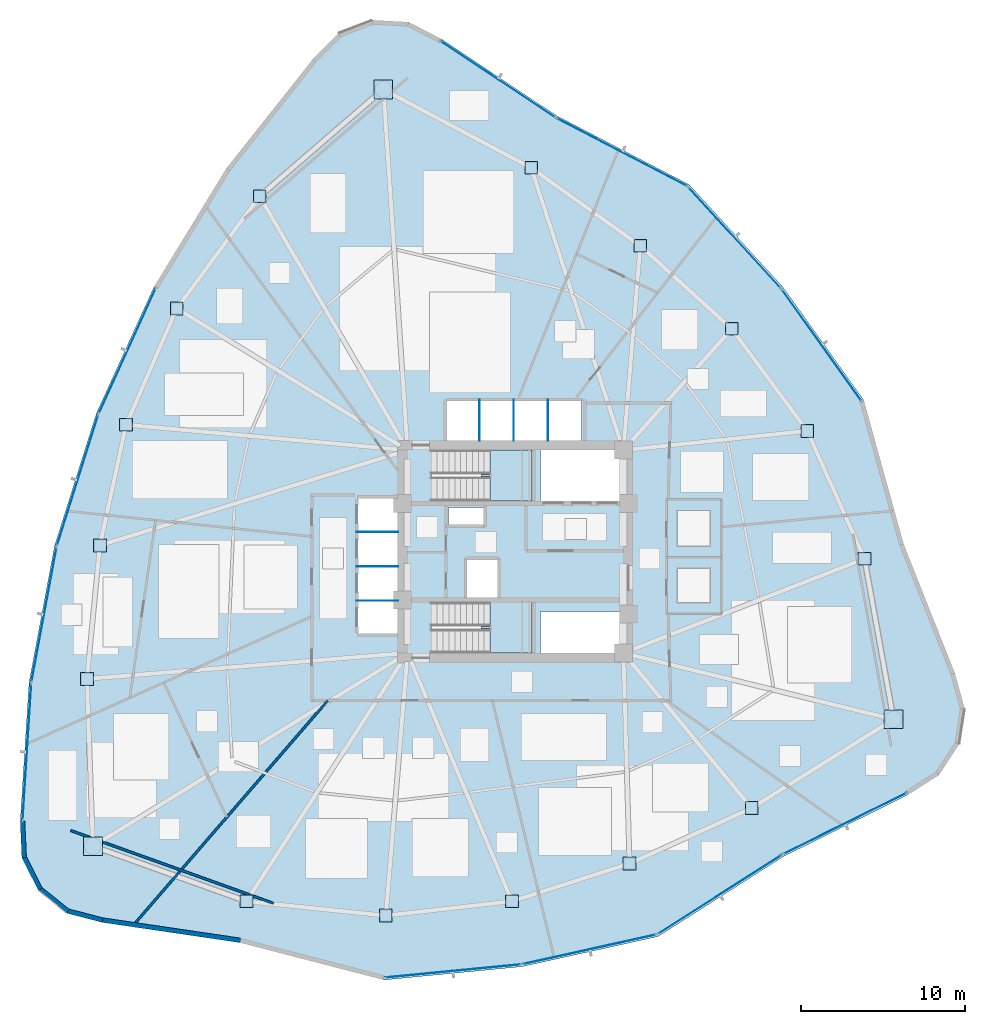
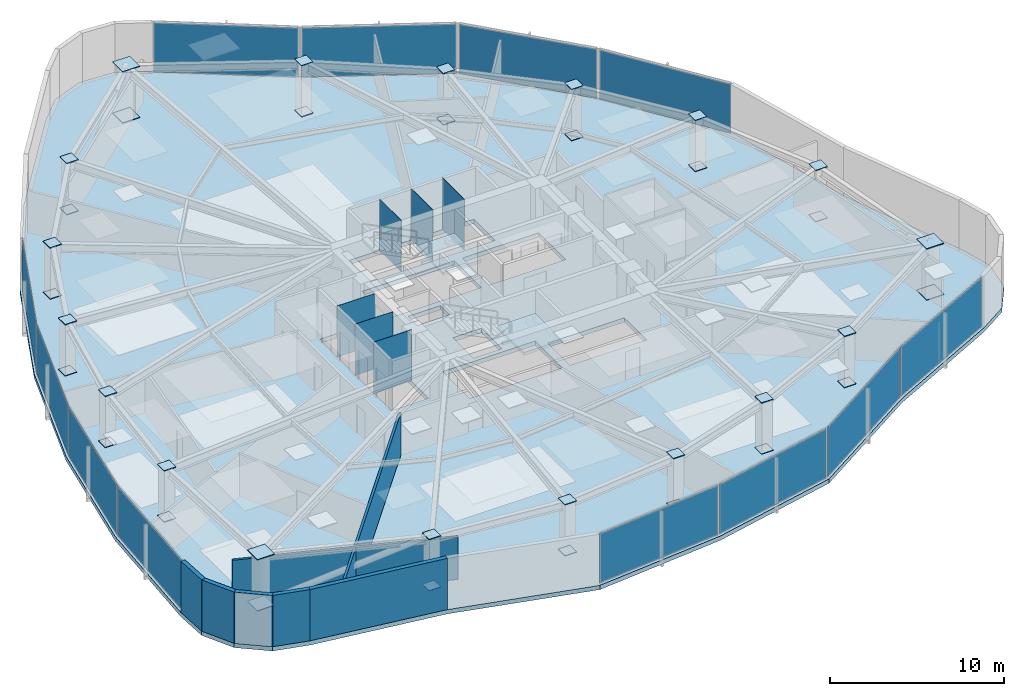
# One storey, part 11 of 18: 54 plates, 7 walls, 3 slabs, 14 elements without a shape of their own.
"""IFC4 building model written with IfcOpenShell, lengths in metres."""

from ifc_helpers import new_model, si_unit, direction, frame, frame_2d, origin, origin_2d, place, context, subcontext, project, spatial, polyline, rectangle, outline, extrude, source, transform, mapped, material, layer, layer_set, type_object, type_shapes, element, aggregate, save


model = new_model("IFC4")

# Units and contexts
model_context = context("Model", 3, precision=1e-05, world=origin(), true_north=direction((0.0, 1.0)))
body_context = subcontext(model_context, "Body", "Model", "MODEL_VIEW")
ifc_project = project(units=[si_unit("LENGTHUNIT", "METRE"), si_unit("AREAUNIT", "SQUARE_METRE"), si_unit("VOLUMEUNIT", "CUBIC_METRE"), si_unit("PLANEANGLEUNIT", "RADIAN"), si_unit("MASSUNIT", "GRAM", prefix="KILO")], contexts=[model_context])

# Site, building, storey
site_placement = place(None, origin())
site = spatial("IfcSite", under=ifc_project, at=site_placement, CompositionType="ELEMENT")
building_placement = place(site_placement, origin())
building = spatial("IfcBuilding", under=site, at=building_placement, Name="Tavelor Broadcast Tower", CompositionType="ELEMENT")
storey_placement = place(building_placement, frame((0.0, 0.0, 62.699951171875)))
storey = spatial("IfcBuildingStorey", under=building, at=storey_placement, Name="L14", CompositionType="ELEMENT", Elevation=62.699951171875)

# Stair, slab
ifc_material_1 = material(Name="Concrete C40/50", Category="concrete")
stair_type = type_object("IfcStairType", Name="Reinforced Concrete Protected Dogleg Stair 1450 mm", PredefinedType="HALF_TURN_STAIR", material=ifc_material_1)
stair_1_placement = place(storey_placement, origin())
stair_1 = element("IfcStair", 1, at=stair_1_placement, inside=storey, type_object=stair_type, Name="L14 Protected Core Exit Stair ST1", PredefinedType="HALF_TURN_STAIR")
ifc_layer_1 = layer(ifc_material_1, 0.199951171875)
ifc_layer_set_1 = layer_set([ifc_layer_1], Name="Concrete C40/50")
slab_type_1 = type_object("IfcSlabType", Name="Reinforced Concrete Stair Half-Landing Slab 200 mm", PredefinedType="LANDING", material=ifc_layer_set_1)
slab_1_placement = place(storey_placement, frame((0.0, 0.0, 1.75)))
slab_1 = element("IfcSlab", 2, at=slab_1_placement, type_object=slab_type_1, Name="ST1 landing 1", PredefinedType="LANDING", context=body_context, shape_type="SweptSolid", body=[
    extrude(outline(polyline([(48.445068359375, 49.590087890625), (48.445068359375, 48.094970703125), (51.0048828125, 48.094970703125), (51.0048828125, 51.205078125), (48.445068359375, 51.205078125), (48.445068359375, 49.7099609375), (47.905029296875, 49.7099609375), (47.905029296875, 49.590087890625), (48.445068359375, 49.590087890625)])), origin(), (0.0, 0.0, 1.0), 0.199951171875),
])
aggregate(stair_1, [slab_1])

stair_2_placement = place(storey_placement, origin())
stair_2 = element("IfcStair", 3, at=stair_2_placement, inside=storey, type_object=stair_type, Name="L14 Protected Core Exit Stair ST2", PredefinedType="HALF_TURN_STAIR")
slab_2_placement = place(storey_placement, frame((0.0, 0.0, 1.75)))
slab_2 = element("IfcSlab", 4, at=slab_2_placement, type_object=slab_type_1, Name="ST2 landing 1", PredefinedType="LANDING", context=body_context, shape_type="SweptSolid", body=[
    extrude(outline(polyline([(48.445068359375, 40.2900390625), (48.445068359375, 38.794921875), (51.0048828125, 38.794921875), (51.0048828125, 41.905029296875), (48.445068359375, 41.905029296875), (48.445068359375, 40.409912109375), (47.905029296875, 40.409912109375), (47.905029296875, 40.2900390625), (48.445068359375, 40.2900390625)])), origin(), (0.0, 0.0, 1.0), 0.199951171875),
])
aggregate(stair_2, [slab_2])

# Slab
ifc_layer_2 = layer(ifc_material_1, 0.300048828125)
ifc_layer_set_2 = layer_set([ifc_layer_2], Name="Concrete C40/50")
slab_type_2 = type_object("IfcSlabType", Name="Tower Composite Floor Slab 300 mm", PredefinedType="FLOOR", material=ifc_layer_set_2)
slab_3_placement = place(storey_placement, frame((0.0, 0.0, -0.300048828125)))
element("IfcSlab", 5, at=slab_3_placement, inside=storey, type_object=slab_type_2, Name="L14 Structural Floor Slab", PredefinedType="FLOOR", context=body_context, shape_type="SweptSolid", body=[
    extrude(outline(polyline([(45.463134765625, 76.352294921875), (43.4814453125, 77.381591796875), (41.251708984375, 77.504150390625), (39.169189453125, 76.698486328125), (37.602783203125, 75.107177734375), (32.325927734375, 68.444091796875), (27.894287109375, 61.191162109375), (24.373046875, 53.455322265625), (21.813720703125, 45.350341796875), (20.25390625, 36.9951171875), (19.716796875, 28.512451171875), (19.81591796875, 26.28173828125), (20.82470703125, 24.289306640625), (22.563720703125, 22.888671875), (24.72509765625, 22.32763671875), (33.1337890625, 21.089599609375), (41.95947265625, 18.803955078125), (50.41943359375, 19.622314453125), (58.71826171875, 21.458251953125), (66.405517578125, 26.359130859375), (74.020263671875, 30.13525390625), (75.902587890625, 31.336669921875), (77.12353515625, 33.206298828125), (77.467041015625, 35.412841796875), (76.872314453125, 37.565185546875), (73.739990234375, 45.466552734375), (71.306884765625, 54.25244140625), (66.3681640625, 61.169921875), (60.628662109375, 67.438720703125), (52.54052734375, 71.645751953125), (45.463134765625, 76.352294921875)]), holes=[polyline([(56.60009765625, 38.800048828125), (51.52001953125, 38.800048828125), (51.52001953125, 41.35009765625), (56.60009765625, 41.35009765625), (56.60009765625, 38.800048828125)]), polyline([(50.99609375, 38.803955078125), (44.85400390625, 38.803955078125), (44.85400390625, 41.89599609375), (50.99609375, 41.89599609375), (50.99609375, 38.803955078125)]), polyline([(47.050048828125, 42.199951171875), (47.050048828125, 44.550048828125), (48.949951171875, 44.550048828125), (48.949951171875, 42.199951171875), (47.050048828125, 42.199951171875)]), polyline([(40.35009765625, 40.0), (40.35009765625, 48.25), (42.800048828125, 48.25), (42.800048828125, 40.0), (40.35009765625, 40.0)]), polyline([(48.050048828125, 46.64990234375), (45.89990234375, 46.64990234375), (45.89990234375, 47.699951171875), (48.050048828125, 47.699951171875), (48.050048828125, 46.64990234375)]), polyline([(50.99609375, 48.10400390625), (44.85400390625, 48.10400390625), (44.85400390625, 51.196044921875), (50.99609375, 51.196044921875), (50.99609375, 48.10400390625)]), polyline([(56.60009765625, 48.10009765625), (51.52001953125, 48.10009765625), (51.52001953125, 51.199951171875), (56.60009765625, 51.199951171875), (56.60009765625, 48.10009765625)]), polyline([(54.050048828125, 51.800048828125), (45.800048828125, 51.800048828125), (45.800048828125, 54.25), (54.050048828125, 54.25), (54.050048828125, 51.800048828125)])]), origin(), (0.0, 0.0, 1.0), 0.300048828125),
])

# Plates
ifc_material_2 = material(Name="Steel S460", Category="steel")
ifc_layer_3 = layer(ifc_material_2, 0.050048828125)
ifc_layer_set_3 = layer_set([ifc_layer_3], Name="Steel S460")
plate_type_1 = type_object("IfcPlateType", Name="Tube Hollow-End Cap Plate KN05 700x700x50", PredefinedType="USERDEFINED", material=ifc_layer_set_3)
shared_shape_1 = source(origin(), body_context, "Body", "SweptSolid", [
    extrude(rectangle(XDim=1.14697265625, YDim=1.14697265625, at=origin_2d()), origin(), (0.0, 0.0, 1.0), 0.054931640625),
])
for number, where, z_axis, x_axis, name in (
    (6, (41.923095703125, 73.266357421875, -0.02734375), (0.0, 0.0, 1.0), (1.0, 0.0, 0.0), "L14 Hollow End Cap Plate KN05 #436"),
    (7, (41.923095703125, 73.266357421875, 3.57275390625), (0.0, 0.0, 1.0), (1.0, 0.0, 0.0), "L14 Hollow End Cap Plate KN05 #437"),
    (8, (24.1591796875, 26.98974609375, -0.02734375), (0.0, 0.0, 1.0), (1.0, 0.0, 0.0), "L14 Hollow End Cap Plate KN05 #448"),
    (9, (24.1591796875, 26.98974609375, 3.57275390625), (0.0, 0.0, 1.0), (1.0, 0.0, 0.0), "L14 Hollow End Cap Plate KN05 #449"),
    (10, (73.117919921875, 34.743896484375, -0.02734375), (0.0, 0.0, 1.0), (1.0, 0.0, 0.0), "L14 Hollow End Cap Plate KN05 #460"),
    (11, (73.117919921875, 34.743896484375, 3.57275390625), (0.0, 0.0, 1.0), (1.0, 0.0, 0.0), "L14 Hollow End Cap Plate KN05 #461"),
):
    element("IfcPlate", number, at=place(storey_placement, frame(where, z_axis=z_axis, x_axis=x_axis)), inside=storey, type_object=plate_type_1, Name=name, ObjectType="CAP PLATE", PredefinedType="USERDEFINED", context=body_context, shape_type="MappedRepresentation", body=[
        mapped(shared_shape_1, transform((0.0, 0.0, 0.0), scale=1.0)),
    ])
shared_shape_2 = source(origin(), body_context, "Body", "SweptSolid", [
    extrude(rectangle(XDim=0.780029296875, YDim=0.780029296875, at=origin_2d()), origin(), (0.0, 0.0, 1.0), 0.054931640625),
])
type_shapes(plate_type_1, [shared_shape_1, shared_shape_2])
for number, where, z_axis, x_axis, name in (
    (12, (34.356201171875, 66.727783203125, -0.02734375), (0.0, 0.0, 1.0), (1.0, 0.0, 0.0), "L14 Hollow End Cap Plate KN05 #438"),
    (13, (34.356201171875, 66.727783203125, 3.57275390625), (0.0, 0.0, 1.0), (1.0, 0.0, 0.0), "L14 Hollow End Cap Plate KN05 #439"),
    (14, (29.292236328125, 59.87158203125, -0.02734375), (0.0, 0.0, 1.0), (1.0, 0.0, 0.0), "L14 Hollow End Cap Plate KN05 #440"),
    (15, (29.292236328125, 59.87158203125, 3.57275390625), (0.0, 0.0, 1.0), (1.0, 0.0, 0.0), "L14 Hollow End Cap Plate KN05 #441"),
    (16, (26.189208984375, 52.75830078125, -0.02734375), (0.0, 0.0, 1.0), (1.0, 0.0, 0.0), "L14 Hollow End Cap Plate KN05 #442"),
    (17, (26.189208984375, 52.75830078125, 3.57275390625), (0.0, 0.0, 1.0), (1.0, 0.0, 0.0), "L14 Hollow End Cap Plate KN05 #443"),
    (18, (24.58984375, 45.380615234375, -0.02734375), (0.0, 0.0, 1.0), (1.0, 0.0, 0.0), "L14 Hollow End Cap Plate KN05 #444"),
    (19, (24.58984375, 45.380615234375, 3.57275390625), (0.0, 0.0, 1.0), (1.0, 0.0, 0.0), "L14 Hollow End Cap Plate KN05 #445"),
    (20, (23.794677734375, 37.21630859375, -0.02734375), (0.0, 0.0, 1.0), (1.0, 0.0, 0.0), "L14 Hollow End Cap Plate KN05 #446"),
    (21, (23.794677734375, 37.21630859375, 3.57275390625), (0.0, 0.0, 1.0), (1.0, 0.0, 0.0), "L14 Hollow End Cap Plate KN05 #447"),
    (22, (33.55078125, 23.615478515625, -0.02734375), (0.0, 0.0, 1.0), (1.0, 0.0, 0.0), "L14 Hollow End Cap Plate KN05 #450"),
    (23, (33.55078125, 23.615478515625, 3.57275390625), (0.0, 0.0, 1.0), (1.0, 0.0, 0.0), "L14 Hollow End Cap Plate KN05 #451"),
    (24, (42.0732421875, 22.740478515625, -0.02734375), (0.0, 0.0, 1.0), (1.0, 0.0, 0.0), "L14 Hollow End Cap Plate KN05 #452"),
    (25, (42.0732421875, 22.740478515625, 3.57275390625), (0.0, 0.0, 1.0), (1.0, 0.0, 0.0), "L14 Hollow End Cap Plate KN05 #453"),
    (26, (49.78662109375, 23.617919921875, -0.02734375), (0.0, 0.0, 1.0), (1.0, 0.0, 0.0), "L14 Hollow End Cap Plate KN05 #454"),
    (27, (49.78662109375, 23.617919921875, 3.57275390625), (0.0, 0.0, 1.0), (1.0, 0.0, 0.0), "L14 Hollow End Cap Plate KN05 #455"),
    (28, (56.975341796875, 25.92138671875, -0.02734375), (0.0, 0.0, 1.0), (1.0, 0.0, 0.0), "L14 Hollow End Cap Plate KN05 #456"),
    (29, (56.975341796875, 25.92138671875, 3.57275390625), (0.0, 0.0, 1.0), (1.0, 0.0, 0.0), "L14 Hollow End Cap Plate KN05 #457"),
    (30, (64.443603515625, 29.31494140625, -0.02734375), (0.0, 0.0, 1.0), (1.0, 0.0, 0.0), "L14 Hollow End Cap Plate KN05 #458"),
    (31, (64.443603515625, 29.31494140625, 3.57275390625), (0.0, 0.0, 1.0), (1.0, 0.0, 0.0), "L14 Hollow End Cap Plate KN05 #459"),
    (32, (71.343994140625, 44.564697265625, -0.02734375), (0.0, 0.0, 1.0), (1.0, 0.0, 0.0), "L14 Hollow End Cap Plate KN05 #462"),
    (33, (71.343994140625, 44.564697265625, 3.57275390625), (0.0, 0.0, 1.0), (1.0, 0.0, 0.0), "L14 Hollow End Cap Plate KN05 #463"),
    (34, (67.8408203125, 52.382568359375, -0.02734375), (0.0, 0.0, 1.0), (1.0, 0.0, 0.0), "L14 Hollow End Cap Plate KN05 #464"),
    (35, (67.8408203125, 52.382568359375, 3.57275390625), (0.0, 0.0, 1.0), (1.0, 0.0, 0.0), "L14 Hollow End Cap Plate KN05 #465"),
    (36, (63.22412109375, 58.623779296875, -0.02734375), (0.0, 0.0, 1.0), (1.0, 0.0, 0.0), "L14 Hollow End Cap Plate KN05 #466"),
    (37, (63.22412109375, 58.623779296875, 3.57275390625), (0.0, 0.0, 1.0), (1.0, 0.0, 0.0), "L14 Hollow End Cap Plate KN05 #467"),
    (38, (57.634765625, 63.69775390625, -0.02734375), (0.0, 0.0, 1.0), (1.0, 0.0, 0.0), "L14 Hollow End Cap Plate KN05 #468"),
    (39, (57.634765625, 63.69775390625, 3.57275390625), (0.0, 0.0, 1.0), (1.0, 0.0, 0.0), "L14 Hollow End Cap Plate KN05 #469"),
    (40, (50.9619140625, 68.468505859375, -0.02734375), (0.0, 0.0, 1.0), (1.0, 0.0, 0.0), "L14 Hollow End Cap Plate KN05 #470"),
    (41, (50.9619140625, 68.468505859375, 3.57275390625), (0.0, 0.0, 1.0), (1.0, 0.0, 0.0), "L14 Hollow End Cap Plate KN05 #471"),
):
    element("IfcPlate", number, at=place(storey_placement, frame(where, z_axis=z_axis, x_axis=x_axis)), inside=storey, type_object=plate_type_1, Name=name, ObjectType="CAP PLATE", PredefinedType="USERDEFINED", context=body_context, shape_type="MappedRepresentation", body=[
        mapped(shared_shape_2, transform((0.0, 0.0, 0.0), scale=1.0)),
    ])
ifc_material_3 = material(Name="Steel S355", Category="steel")
ifc_layer_4 = layer(ifc_material_3, 0.011962890625)
ifc_layer_set_4 = layer_set([ifc_layer_4], Name="Steel S355")
plate_type_2 = type_object("IfcPlateType", Name="Hoistway Steel Separator Screen 12 mm", PredefinedType="SHEET", material=ifc_layer_set_4)
shared_shape_3 = source(origin(), body_context, "Body", "SweptSolid", [
    extrude(rectangle(XDim=2.52001953125, YDim=0.02001953125, at=origin_2d()), origin(), (0.0, 0.0, 1.0), 3.60009765625),
])
for number, where, z_axis, x_axis, name in (
    (42, (41.56005859375, 42.0, 0.0), (0.0, 0.0, 1.0), (1.0, 0.0, 0.0), "L14 Low-Rise Hoistway Separator Screen 1"),
    (43, (41.56005859375, 44.10009765625, 0.0), (0.0, 0.0, 1.0), (1.0, 0.0, 0.0), "L14 Low-Rise Hoistway Separator Screen 2"),
    (44, (41.56005859375, 46.199951171875, 0.0), (0.0, 0.0, 1.0), (1.0, 0.0, 0.0), "L14 Low-Rise Hoistway Separator Screen 3"),
):
    element("IfcPlate", number, at=place(storey_placement, frame(where, z_axis=z_axis, x_axis=x_axis)), inside=storey, type_object=plate_type_2, Name=name, PredefinedType="SHEET", context=body_context, shape_type="MappedRepresentation", body=[
        mapped(shared_shape_3, transform((0.0, 0.0, 0.0), scale=1.0)),
    ])
shared_shape_4 = source(origin(), body_context, "Body", "SweptSolid", [
    extrude(rectangle(XDim=0.02001953125, YDim=2.52001953125, at=origin_2d()), origin(), (0.0, 0.0, 1.0), 3.60009765625),
])
type_shapes(plate_type_2, [shared_shape_3, shared_shape_4])
for number, where, z_axis, x_axis, name in (
    (45, (47.800048828125, 53.0400390625, 0.0), (0.0, 0.0, 1.0), (1.0, 0.0, 0.0), "L14 High-Rise Hoistway Separator Screen 1"),
    (46, (49.89990234375, 53.0400390625, 0.0), (0.0, 0.0, 1.0), (1.0, 0.0, 0.0), "L14 High-Rise Hoistway Separator Screen 2"),
    (47, (52.0, 53.0400390625, 0.0), (0.0, 0.0, 1.0), (1.0, 0.0, 0.0), "L14 High-Rise Hoistway Separator Screen 3"),
):
    element("IfcPlate", number, at=place(storey_placement, frame(where, z_axis=z_axis, x_axis=x_axis)), inside=storey, type_object=plate_type_2, Name=name, PredefinedType="SHEET", context=body_context, shape_type="MappedRepresentation", body=[
        mapped(shared_shape_4, transform((0.0, 0.0, 0.0), scale=1.0)),
    ])

# Curtain wall, plate
ifc_material_4 = material(Name="Architectural Anodized Aluminium", Category="aluminium")
ifc_layer_5 = layer(ifc_material_4, 0.179931640625)
ifc_layer_set_5 = layer_set([ifc_layer_5], Name="Architectural Anodized Aluminium")
curtain_wall_type = type_object("IfcCurtainWallType", Name="Tower Low-Zone Unitised Curtain Wall CW02", PredefinedType="NOTDEFINED", material=ifc_layer_set_5)
curtain_wall_1_placement = place(storey_placement, origin())
curtain_wall_1 = element("IfcCurtainWall", 48, at=curtain_wall_1_placement, inside=storey, type_object=curtain_wall_type, Name="L14 Curtain Wall CW02 Run 121", PredefinedType="NOTDEFINED")
ifc_material_5 = material(Name="Acoustic Double Glazing 28 mm", Category="glass")
ifc_layer_6 = layer(ifc_material_5, 0.028076171875)
ifc_layer_set_6 = layer_set([ifc_layer_6], Name="Acoustic Double Glazing 28 mm")
plate_type_3 = type_object("IfcPlateType", Name="CW02 Insulated Vision Glazing Panel 28 mm", PredefinedType="CURTAIN_PANEL", material=ifc_layer_set_6)
shared_shape_5 = source(origin(), body_context, "Body", "SweptSolid", [
    extrude(rectangle(XDim=8.337646484375, YDim=0.028076171875, at=origin_2d()), origin(), (0.0, 0.0, 1.0), 3.469970703125),
])
plate_1_placement = place(storey_placement, frame((26.26416015625, 57.272216796875, 0.06494140625), z_axis=(0.0, 0.0, 1.0), x_axis=(-0.4142975982, -0.910141472589, 0.0)))
plate_1 = element("IfcPlate", 49, at=plate_1_placement, type_object=plate_type_3, Name="CW02 panel 1.1", PredefinedType="CURTAIN_PANEL", context=body_context, shape_type="MappedRepresentation", body=[
    mapped(shared_shape_5, transform((0.0, 0.0, 0.0), scale=1.0)),
])
aggregate(curtain_wall_1, [plate_1])

curtain_wall_2_placement = place(storey_placement, origin())
curtain_wall_2 = element("IfcCurtainWall", 50, at=curtain_wall_2_placement, inside=storey, type_object=curtain_wall_type, Name="L14 Curtain Wall CW02 Run 122", PredefinedType="NOTDEFINED")
shared_shape_6 = source(origin(), body_context, "Body", "SweptSolid", [
    extrude(rectangle(XDim=8.322509765625, YDim=0.028076171875, at=origin_2d()), origin(), (0.0, 0.0, 1.0), 3.469970703125),
])
plate_2_placement = place(storey_placement, frame((23.226806640625, 49.360595703125, 0.06494140625), z_axis=(0.0, 0.0, 1.0), x_axis=(-0.301117778873, -0.953586956311, 0.0)))
plate_2 = element("IfcPlate", 51, at=plate_2_placement, type_object=plate_type_3, Name="CW02 panel 1.1", PredefinedType="CURTAIN_PANEL", context=body_context, shape_type="MappedRepresentation", body=[
    mapped(shared_shape_6, transform((0.0, 0.0, 0.0), scale=1.0)),
])
aggregate(curtain_wall_2, [plate_2])

curtain_wall_3_placement = place(storey_placement, origin())
curtain_wall_3 = element("IfcCurtainWall", 52, at=curtain_wall_3_placement, inside=storey, type_object=curtain_wall_type, Name="L14 Curtain Wall CW02 Run 123", PredefinedType="NOTDEFINED")
plate_3_placement = place(storey_placement, frame((21.17138671875, 41.14697265625, 0.06494140625), z_axis=(0.0, 0.0, 1.0), x_axis=(-0.183507021182, -0.983018399206, 0.0)))
plate_3 = element("IfcPlate", 53, at=plate_3_placement, type_object=plate_type_3, Name="CW02 panel 1.1", PredefinedType="CURTAIN_PANEL", context=body_context, shape_type="MappedRepresentation", body=[
    mapped(shared_shape_6, transform((0.0, 0.0, 0.0), scale=1.0)),
])
aggregate(curtain_wall_3, [plate_3])

curtain_wall_4_placement = place(storey_placement, origin())
curtain_wall_4 = element("IfcCurtainWall", 54, at=curtain_wall_4_placement, inside=storey, type_object=curtain_wall_type, Name="L14 Curtain Wall CW02 Run 124", PredefinedType="NOTDEFINED")
shared_shape_7 = source(origin(), body_context, "Body", "SweptSolid", [
    extrude(rectangle(XDim=8.338623046875, YDim=0.028076171875, at=origin_2d()), origin(), (0.0, 0.0, 1.0), 3.469970703125),
])
plate_4_placement = place(storey_placement, frame((20.12451171875, 32.737060546875, 0.06494140625), z_axis=(0.0, 0.0, 1.0), x_axis=(-0.063198698004, -0.998000964213, 0.0)))
plate_4 = element("IfcPlate", 55, at=plate_4_placement, type_object=plate_type_3, Name="CW02 panel 1.1", PredefinedType="CURTAIN_PANEL", context=body_context, shape_type="MappedRepresentation", body=[
    mapped(shared_shape_7, transform((0.0, 0.0, 0.0), scale=1.0)),
])
aggregate(curtain_wall_4, [plate_4])

curtain_wall_5_placement = place(storey_placement, origin())
curtain_wall_5 = element("IfcCurtainWall", 56, at=curtain_wall_5_placement, inside=storey, type_object=curtain_wall_type, Name="L14 Curtain Wall CW02 Run 125", PredefinedType="NOTDEFINED")
shared_shape_8 = source(origin(), body_context, "Body", "SweptSolid", [
    extrude(rectangle(XDim=8.3212890625, YDim=0.028076171875, at=origin_2d()), origin(), (0.0, 0.0, 1.0), 3.469970703125),
])
plate_5_placement = place(storey_placement, frame((46.176513671875, 19.3525390625, 0.06494140625), z_axis=(0.0, 0.0, 1.0), x_axis=(0.995354147931, 0.096281463408, 0.0)))
plate_5 = element("IfcPlate", 57, at=plate_5_placement, type_object=plate_type_3, Name="CW02 panel 1.1", PredefinedType="CURTAIN_PANEL", context=body_context, shape_type="MappedRepresentation", body=[
    mapped(shared_shape_8, transform((0.0, 0.0, 0.0), scale=1.0)),
])
aggregate(curtain_wall_5, [plate_5])

curtain_wall_6_placement = place(storey_placement, origin())
curtain_wall_6 = element("IfcCurtainWall", 58, at=curtain_wall_6_placement, inside=storey, type_object=curtain_wall_type, Name="L14 Curtain Wall CW02 Run 129", PredefinedType="NOTDEFINED")
plate_6_placement = place(storey_placement, frame((68.72314453125, 57.63037109375, 0.06494140625), z_axis=(0.0, 0.0, 1.0), x_axis=(-0.581063569516, 0.813858174488, 0.0)))
plate_6 = element("IfcPlate", 59, at=plate_6_placement, type_object=plate_type_3, Name="CW02 panel 1.1", PredefinedType="CURTAIN_PANEL", context=body_context, shape_type="MappedRepresentation", body=[
    mapped(shared_shape_8, transform((0.0, 0.0, 0.0), scale=1.0)),
])
aggregate(curtain_wall_6, [plate_6])

curtain_wall_7_placement = place(storey_placement, origin())
curtain_wall_7 = element("IfcCurtainWall", 60, at=curtain_wall_7_placement, inside=storey, type_object=curtain_wall_type, Name="L14 Curtain Wall CW02 Run 126", PredefinedType="NOTDEFINED")
shared_shape_9 = source(origin(), body_context, "Body", "SweptSolid", [
    extrude(rectangle(XDim=8.306396484375, YDim=0.028076171875, at=origin_2d()), origin(), (0.0, 0.0, 1.0), 3.469970703125),
])
plate_7_placement = place(storey_placement, frame((54.53076171875, 20.67529296875, 0.06494140625), z_axis=(0.0, 0.0, 1.0), x_axis=(0.976389674649, 0.216016673522, 0.0)))
plate_7 = element("IfcPlate", 61, at=plate_7_placement, type_object=plate_type_3, Name="CW02 panel 1.1", PredefinedType="CURTAIN_PANEL", context=body_context, shape_type="MappedRepresentation", body=[
    mapped(shared_shape_9, transform((0.0, 0.0, 0.0), scale=1.0)),
])
aggregate(curtain_wall_7, [plate_7])

curtain_wall_8_placement = place(storey_placement, origin())
curtain_wall_8 = element("IfcCurtainWall", 62, at=curtain_wall_8_placement, inside=storey, type_object=curtain_wall_type, Name="L14 Curtain Wall CW02 Run 130", PredefinedType="NOTDEFINED")
plate_8_placement = place(storey_placement, frame((63.400634765625, 64.203857421875, 0.06494140625), z_axis=(0.0, 0.0, 1.0), x_axis=(-0.67526932588, 0.737571242339, 0.0)))
plate_8 = element("IfcPlate", 63, at=plate_8_placement, type_object=plate_type_3, Name="CW02 panel 1.1", PredefinedType="CURTAIN_PANEL", context=body_context, shape_type="MappedRepresentation", body=[
    mapped(shared_shape_9, transform((0.0, 0.0, 0.0), scale=1.0)),
])
aggregate(curtain_wall_8, [plate_8])

curtain_wall_9_placement = place(storey_placement, origin())
curtain_wall_9 = element("IfcCurtainWall", 64, at=curtain_wall_9_placement, inside=storey, type_object=curtain_wall_type, Name="L14 Curtain Wall CW02 Run 127", PredefinedType="NOTDEFINED")
shared_shape_10 = source(origin(), body_context, "Body", "SweptSolid", [
    extrude(rectangle(XDim=8.939453125, YDim=0.028076171875, at=origin_2d()), origin(), (0.0, 0.0, 1.0), 3.469970703125),
])
plate_9_placement = place(storey_placement, frame((62.500244140625, 24.035400390625, 0.06494140625), z_axis=(0.0, 0.0, 1.0), x_axis=(0.84321307852, 0.537579486414, 0.0)))
plate_9 = element("IfcPlate", 65, at=plate_9_placement, type_object=plate_type_3, Name="CW02 panel 1.1", PredefinedType="CURTAIN_PANEL", context=body_context, shape_type="MappedRepresentation", body=[
    mapped(shared_shape_10, transform((0.0, 0.0, 0.0), scale=1.0)),
])
aggregate(curtain_wall_9, [plate_9])

curtain_wall_10_placement = place(storey_placement, origin())
curtain_wall_10 = element("IfcCurtainWall", 66, at=curtain_wall_10_placement, inside=storey, type_object=curtain_wall_type, Name="L14 Curtain Wall CW02 Run 131", PredefinedType="NOTDEFINED")
plate_10_placement = place(storey_placement, frame((56.505615234375, 69.425537109375, 0.06494140625), z_axis=(0.0, 0.0, 1.0), x_axis=(-0.887165887206, 0.46145063504, 0.0)))
plate_10 = element("IfcPlate", 67, at=plate_10_placement, type_object=plate_type_3, Name="CW02 panel 1.1", PredefinedType="CURTAIN_PANEL", context=body_context, shape_type="MappedRepresentation", body=[
    mapped(shared_shape_10, transform((0.0, 0.0, 0.0), scale=1.0)),
])
aggregate(curtain_wall_10, [plate_10])

curtain_wall_11_placement = place(storey_placement, origin())
curtain_wall_11 = element("IfcCurtainWall", 68, at=curtain_wall_11_placement, inside=storey, type_object=curtain_wall_type, Name="L14 Curtain Wall CW02 Run 128", PredefinedType="NOTDEFINED")
shared_shape_11 = source(origin(), body_context, "Body", "SweptSolid", [
    extrude(rectangle(XDim=8.3544921875, YDim=0.028076171875, at=origin_2d()), origin(), (0.0, 0.0, 1.0), 3.469970703125),
])
type_shapes(plate_type_3, [shared_shape_5, shared_shape_6, shared_shape_7, shared_shape_8, shared_shape_9, shared_shape_10, shared_shape_11])
plate_11_placement = place(storey_placement, frame((70.150634765625, 28.372802734375, 0.06494140625), z_axis=(0.0, 0.0, 1.0), x_axis=(0.895893271835, 0.444269338894, 0.0)))
plate_11 = element("IfcPlate", 69, at=plate_11_placement, type_object=plate_type_3, Name="CW02 panel 1.1", PredefinedType="CURTAIN_PANEL", context=body_context, shape_type="MappedRepresentation", body=[
    mapped(shared_shape_11, transform((0.0, 0.0, 0.0), scale=1.0)),
])
aggregate(curtain_wall_11, [plate_11])

curtain_wall_12_placement = place(storey_placement, origin())
curtain_wall_12 = element("IfcCurtainWall", 70, at=curtain_wall_12_placement, inside=storey, type_object=curtain_wall_type, Name="L14 Curtain Wall CW02 Run 132", PredefinedType="NOTDEFINED")
plate_12_placement = place(storey_placement, frame((48.92431640625, 73.88232421875, 0.06494140625), z_axis=(0.0, 0.0, 1.0), x_axis=(-0.832693449808, 0.553734249118, 0.0)))
plate_12 = element("IfcPlate", 71, at=plate_12_placement, type_object=plate_type_3, Name="CW02 panel 1.1", PredefinedType="CURTAIN_PANEL", context=body_context, shape_type="MappedRepresentation", body=[
    mapped(shared_shape_11, transform((0.0, 0.0, 0.0), scale=1.0)),
])
aggregate(curtain_wall_12, [plate_12])

# Walls
ifc_material_6 = material(Name="Precast Concrete C40/50", Category="concrete")
ifc_layer_7 = layer(ifc_material_6, 0.280029296875)
ifc_layer_set_7 = layer_set([ifc_layer_7], Name="Precast Concrete C40/50")
wall_type_1 = type_object("IfcWallType", Name="Insulated Precast Terracotta Facade Wall 280 mm", PredefinedType="STANDARD", material=ifc_layer_set_7)
wall_1_placement = place(storey_placement, frame((19.856689453125, 28.51513671875, 0.0), z_axis=(0.0, 0.0, 1.0), x_axis=(0.044432401991, -0.999012393143, 0.0)))
element("IfcWall", 72, at=wall_1_placement, inside=storey, type_object=wall_type_1, Name="L14 Rounded Corner Structural Cladding Pier 11", PredefinedType="STANDARD", context=body_context, shape_type="SweptSolid", body=[
    extrude(rectangle(XDim=2.21435546875, YDim=0.280029296875, at=frame_2d((1.107177734375, 0.0))), origin(), (0.0, 0.0, 1.0), 3.60009765625),
])
for number, where, z_axis, x_axis, name in (
    (73, (19.94775390625, 26.331298828125, 0.0), (0.0, 0.0, 1.0), (0.451686055899, -0.892176948204, 0.0), "L14 Rounded Corner Structural Cladding Pier 12"),
    (74, (20.92431640625, 24.388916015625, 0.0), (0.0, 0.0, 1.0), (0.778744884323, -0.627340740858, 0.0), "L14 Rounded Corner Structural Cladding Pier 13"),
):
    element("IfcWall", number, at=place(storey_placement, frame(where, z_axis=z_axis, x_axis=x_axis)), inside=storey, type_object=wall_type_1, Name=name, PredefinedType="STANDARD", context=body_context, shape_type="SweptSolid", body=[
        extrude(rectangle(XDim=2.20263671875, YDim=0.280029296875, at=frame_2d((1.101318359375, 0.0))), origin(), (0.0, 0.0, 1.0), 3.60009765625),
    ])
wall_2_placement = place(storey_placement, frame((22.61328125, 23.0205078125, 0.0), z_axis=(0.0, 0.0, 1.0), x_axis=(0.967909001879, -0.251300943258, 0.0)))
element("IfcWall", 75, at=wall_2_placement, inside=storey, type_object=wall_type_1, Name="L14 Rounded Corner Structural Cladding Pier 14", PredefinedType="STANDARD", context=body_context, shape_type="SweptSolid", body=[
    extrude(rectangle(XDim=2.225830078125, YDim=0.280029296875, at=frame_2d((1.11279296875, 0.0))), origin(), (0.0, 0.0, 1.0), 3.60009765625),
])
wall_3_placement = place(storey_placement, frame((24.738037109375, 22.46728515625, 0.0), z_axis=(0.0, 0.0, 1.0), x_axis=(0.989330031973, -0.145691756242, 0.0)))
element("IfcWall", 76, at=wall_3_placement, inside=storey, type_object=wall_type_1, Name="L14 Rounded Corner Structural Cladding Pier 15", PredefinedType="STANDARD", context=body_context, shape_type="SweptSolid", body=[
    extrude(rectangle(XDim=8.529541015625, YDim=0.280029296875, at=frame_2d((4.2646484375, 0.0))), origin(), (0.0, 0.0, 1.0), 3.60009765625),
])
ifc_material_7 = material(Name="Gypsum Acoustic Plasterboard 150 mm", Category="gypsum")
ifc_layer_8 = layer(ifc_material_7, 0.14990234375)
ifc_layer_set_8 = layer_set([ifc_layer_8], Name="Gypsum Acoustic Plasterboard 150 mm")
wall_type_2 = type_object("IfcWallType", Name="Interior Acoustic Partition Wall 150 mm", PredefinedType="PARTITIONING", material=ifc_layer_set_8)
wall_4_placement = place(storey_placement, frame((22.802001953125, 27.94482421875, 0.0), z_axis=(0.0, 0.0, 1.0), x_axis=(0.941102349209, -0.338121824662, 0.0)))
element("IfcWall", 77, at=wall_4_placement, inside=storey, type_object=wall_type_2, Name="L14 Corner Tube Brace Furring Wall 2", PredefinedType="PARTITIONING", context=body_context, shape_type="SweptSolid", body=[
    extrude(rectangle(XDim=13.1796875, YDim=0.14990234375, at=frame_2d((6.58984375, 0.0))), origin(), (0.0, 0.0, 1.0), 2.97509765625),
])
wall_5_placement = place(storey_placement, frame((38.526123046875, 35.89990234375, 0.0), z_axis=(0.0, 0.0, 1.0), x_axis=(-0.654326006544, -0.75621258728, 0.0)))
element("IfcWall", 78, at=wall_5_placement, inside=storey, type_object=wall_type_2, Name="L14 Radial Compartment Wall 04", PredefinedType="PARTITIONING", context=body_context, shape_type="SweptSolid", body=[
    extrude(rectangle(XDim=18.14892578125, YDim=0.14990234375, at=frame_2d((9.074462890625, 0.0))), origin(), (0.0, 0.0, 1.0), 2.97509765625),
])

save(model, "model.ifc")
